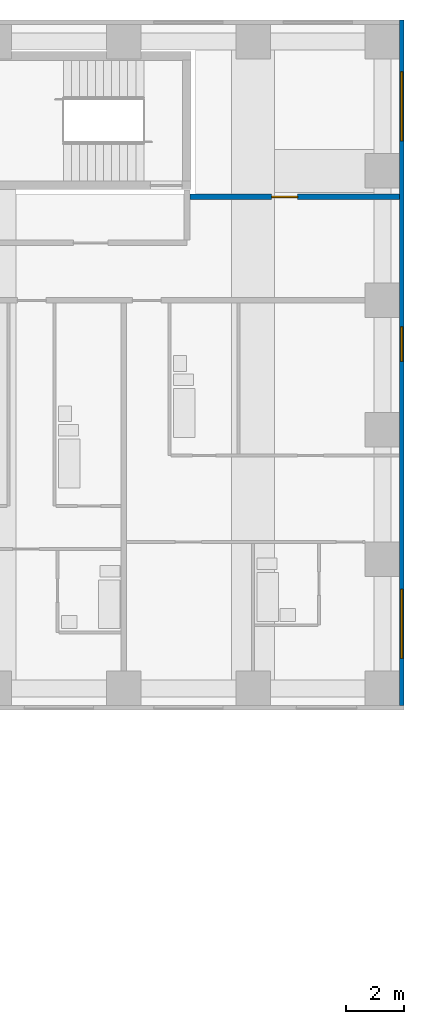
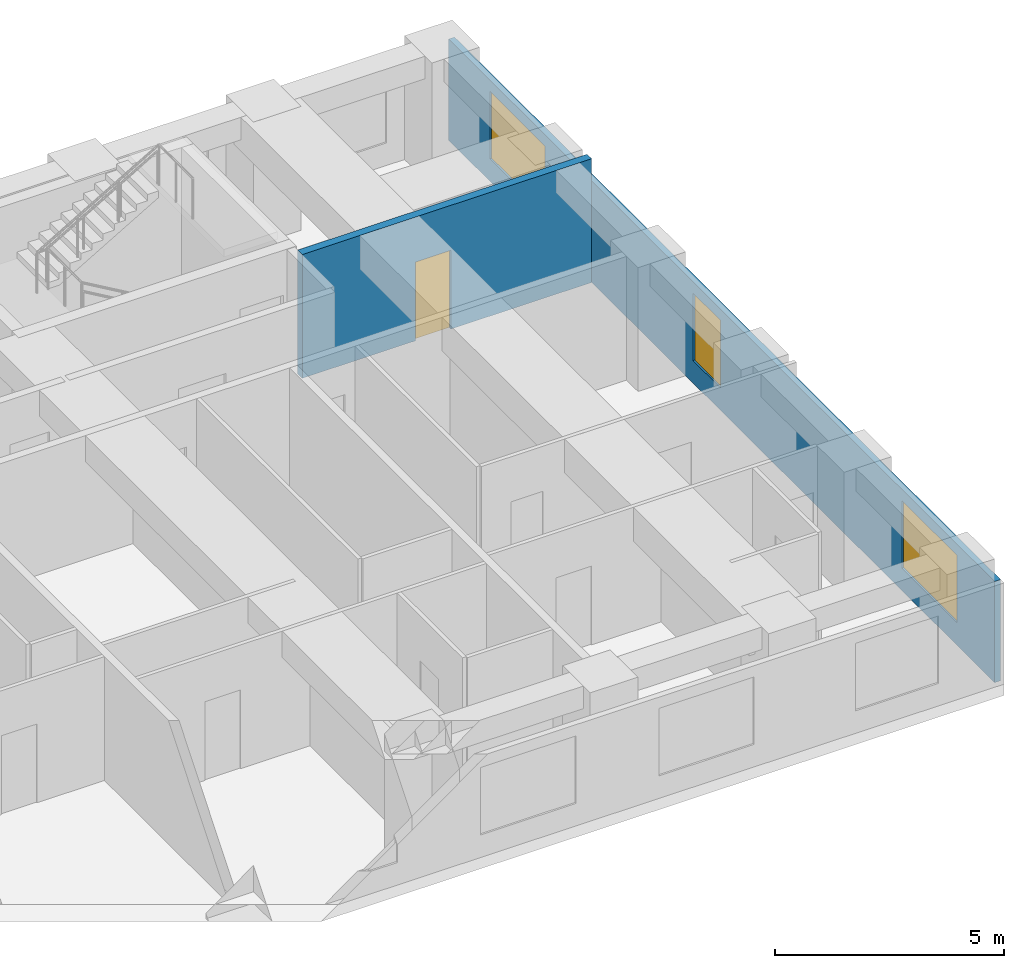
# One storey, part 9 of 12: 3 windows, 2 walls, 1 door, 4 openings.
"""IFC4 building model written with IfcOpenShell, lengths in metres."""

from ifc_helpers import new_model, si_unit, direction, frame, frame_2d, origin, place, context, subcontext, project, spatial, rectangle, extrude, material, layer, layer_set, type_object, element, fill, save


model = new_model("IFC4")

# Units and contexts
model_context = context("Model", 3, precision=1e-05, world=origin(), true_north=direction((0.0, 1.0)))
body_context = subcontext(model_context, "Body", "Model", "MODEL_VIEW")
ifc_project = project(units=[si_unit("LENGTHUNIT", "METRE"), si_unit("AREAUNIT", "SQUARE_METRE"), si_unit("VOLUMEUNIT", "CUBIC_METRE"), si_unit("PLANEANGLEUNIT", "RADIAN"), si_unit("MASSUNIT", "GRAM", prefix="KILO")], contexts=[model_context])

# Site, building, storey
site_placement = place(None, origin())
site = spatial("IfcSite", under=ifc_project, at=site_placement, CompositionType="ELEMENT")
building_placement = place(site_placement, origin())
building = spatial("IfcBuilding", under=site, at=building_placement, Name="Firuza Court", CompositionType="ELEMENT")
storey_placement = place(building_placement, frame((0.0, 0.0, 65.0)))
storey = spatial("IfcBuildingStorey", under=building, at=storey_placement, Name="L15", CompositionType="ELEMENT", Elevation=65.0)

# Wall, opening, door
ifc_material_1 = material(Name="Blockwork, plastered both sides", Category="masonry")
ifc_layer_1 = layer(ifc_material_1, 0.199951171875)
ifc_layer_set_1 = layer_set([ifc_layer_1], Name="Blockwork, plastered both sides")
wall_type_1 = type_object("IfcWallType", Name="Corridor wall 200", PredefinedType="PARTITIONING", material=ifc_layer_set_1)
wall_1_placement = place(storey_placement, frame((60.800048828125, 53.10009765625, 0.0), z_axis=(0.0, 0.0, 1.0), x_axis=(1.0, 0.0, 0.0)))
wall_1 = element("IfcWall", 1, at=wall_1_placement, inside=storey, type_object=wall_type_1, Name="Corridor wall 200 L15", PredefinedType="PARTITIONING", context=body_context, shape_type="SweptSolid", body=[
    extrude(rectangle(XDim=7.300048828125, YDim=0.199951171875, at=frame_2d((3.64990234375, 0.0))), origin(), (0.0, 0.0, 1.0), 3.300048828125),
])
opening_1_placement = place(wall_1_placement, frame((2.85009765625, 0.0, 0.0)))
opening_1 = element("IfcOpeningElement", 2, at=opening_1_placement, cuts=wall_1, Name="Opening D15079", PredefinedType="OPENING", context=body_context, shape_type="SweptSolid", body=[
    extrude(rectangle(XDim=0.89990234375, YDim=2.10009765625, at=frame_2d((0.449951171875, 1.050048828125))), frame((0.0, 0.11181640625, 0.0), z_axis=(0.0, -1.0, 0.0), x_axis=(1.0, 0.0, 0.0)), (0.0, 0.0, 1.0), 0.223876953125),
])
ifc_material_2 = material(Name="Timber door leaf in hardwood frame", Category="wood")
door_type = type_object("IfcDoorType", Name="Room door 900 EI 30", OperationType="SINGLE_SWING_LEFT", PredefinedType="DOOR", material=ifc_material_2)
door_placement = place(opening_1_placement, origin())
door = element("IfcDoor", 3, at=door_placement, inside=storey, type_object=door_type, Name="Meeting room door", OperationType="SINGLE_SWING_LEFT", OverallHeight=2.10009765625, OverallWidth=0.89990234375, PredefinedType="DOOR", context=body_context, shape_type="SweptSolid", body=[
    extrude(rectangle(XDim=0.89990234375, YDim=2.10009765625, at=frame_2d((0.449951171875, 1.050048828125))), frame((0.0, 0.02490234375, 0.0), z_axis=(0.0, -1.0, 0.0), x_axis=(1.0, 0.0, 0.0)), (0.0, 0.0, 1.0), 0.050048828125),
])
fill(opening_1, door)

# Wall, openings, windows
ifc_material_3 = material(Name="Ceramic tile", Category="ceramic")
ifc_layer_2 = layer(ifc_material_3, 0.02001953125)
ifc_material_4 = material(Name="Mineral wool insulation", Category="insulation")
ifc_layer_3 = layer(ifc_material_4, 0.050048828125)
ifc_material_5 = material(Name="Concrete C40/50 precast", Category="concrete")
ifc_layer_4 = layer(ifc_material_5, 0.080078125)
ifc_layer_set_2 = layer_set([ifc_layer_2, ifc_layer_3, ifc_layer_4], Name="Concrete C40/50 precast")
wall_type_2 = type_object("IfcWallType", Name="Precast cladding wall with turquoise TILE PANEL face 150", PredefinedType="STANDARD", material=ifc_layer_set_2)
wall_2_placement = place(storey_placement, frame((68.175048828125, 35.39990234375, 0.0), z_axis=(0.0, 0.0, 1.0), x_axis=(0.0, 1.0, 0.0)))
wall_2 = element("IfcWall", 4, at=wall_2_placement, inside=storey, type_object=wall_type_2, Name="Facade wall L15 E", PredefinedType="STANDARD", context=body_context, shape_type="SweptSolid", body=[
    extrude(rectangle(XDim=23.85009765625, YDim=0.14990234375, at=frame_2d((11.925048828125, 0.0))), origin(), (0.0, 0.0, 1.0), 2.699951171875),
])
opening_2_placement = place(wall_2_placement, frame((1.64990234375, 0.0, 0.60009765625)))
opening_2 = element("IfcOpeningElement", 5, at=opening_2_placement, cuts=wall_2, Name="Opening W1", PredefinedType="OPENING", context=body_context, shape_type="SweptSolid", body=[
    extrude(rectangle(XDim=2.39990234375, YDim=1.800048828125, at=frame_2d((1.199951171875, 0.89990234375))), frame((0.0, 0.0869140625, 0.0), z_axis=(0.0, -1.0, 0.0), x_axis=(1.0, 0.0, 0.0)), (0.0, 0.0, 1.0), 0.173828125),
])
opening_3_placement = place(wall_2_placement, frame((11.976806640625, 0.0, 0.60009765625)))
opening_3 = element("IfcOpeningElement", 6, at=opening_3_placement, cuts=wall_2, Name="Opening W8", PredefinedType="OPENING", context=body_context, shape_type="SweptSolid", body=[
    extrude(rectangle(XDim=1.199951171875, YDim=1.800048828125, at=frame_2d((0.60009765625, 0.89990234375))), frame((0.0, 0.0869140625, 0.0), z_axis=(0.0, -1.0, 0.0), x_axis=(1.0, 0.0, 0.0)), (0.0, 0.0, 1.0), 0.173828125),
])
opening_4_placement = place(wall_2_placement, frame((19.64990234375, 0.0, 0.60009765625)))
opening_4 = element("IfcOpeningElement", 7, at=opening_4_placement, cuts=wall_2, Name="Opening W1", PredefinedType="OPENING", context=body_context, shape_type="SweptSolid", body=[
    extrude(rectangle(XDim=2.39990234375, YDim=1.800048828125, at=frame_2d((1.199951171875, 0.89990234375))), frame((0.0, 0.0869140625, 0.0), z_axis=(0.0, -1.0, 0.0), x_axis=(1.0, 0.0, 0.0)), (0.0, 0.0, 1.0), 0.173828125),
])
ifc_material_6 = material(Name="Aluminium frame, triple clear glazing", Category="aluminium")
window_type_1 = type_object("IfcWindowType", Name="Window W1 2400 x 1800", PartitioningType="SINGLE_PANEL", PredefinedType="WINDOW", material=ifc_material_6)
window_1_placement = place(opening_2_placement, origin())
window_1 = element("IfcWindow", 8, at=window_1_placement, inside=storey, type_object=window_type_1, Name="Window L15", OverallHeight=1.800048828125, OverallWidth=2.39990234375, PartitioningType="SINGLE_PANEL", PredefinedType="WINDOW", context=body_context, shape_type="SweptSolid", body=[
    extrude(rectangle(XDim=2.39990234375, YDim=1.800048828125, at=frame_2d((1.199951171875, 0.89990234375))), frame((0.0, 0.030029296875, 0.0), z_axis=(0.0, -1.0, 0.0), x_axis=(1.0, 0.0, 0.0)), (0.0, 0.0, 1.0), 0.06005859375),
])
fill(opening_2, window_1)
window_2_placement = place(opening_4_placement, origin())
window_2 = element("IfcWindow", 9, at=window_2_placement, inside=storey, type_object=window_type_1, Name="Window L15", OverallHeight=1.800048828125, OverallWidth=2.39990234375, PartitioningType="SINGLE_PANEL", PredefinedType="WINDOW", context=body_context, shape_type="SweptSolid", body=[
    extrude(rectangle(XDim=2.39990234375, YDim=1.800048828125, at=frame_2d((1.199951171875, 0.89990234375))), frame((0.0, 0.030029296875, 0.0), z_axis=(0.0, -1.0, 0.0), x_axis=(1.0, 0.0, 0.0)), (0.0, 0.0, 1.0), 0.06005859375),
])
fill(opening_4, window_2)
ifc_material_7 = material(Name="Aluminium frame, triple clear glazing", Category="aluminium")
window_type_2 = type_object("IfcWindowType", Name="Window W8 1200 x 1800", PartitioningType="SINGLE_PANEL", PredefinedType="WINDOW", material=ifc_material_7)
window_3_placement = place(opening_3_placement, origin())
window_3 = element("IfcWindow", 10, at=window_3_placement, inside=storey, type_object=window_type_2, Name="Window L15", OverallHeight=1.800048828125, OverallWidth=1.199951171875, PartitioningType="SINGLE_PANEL", PredefinedType="WINDOW", context=body_context, shape_type="SweptSolid", body=[
    extrude(rectangle(XDim=1.199951171875, YDim=1.800048828125, at=frame_2d((0.60009765625, 0.89990234375))), frame((0.0, 0.030029296875, 0.0), z_axis=(0.0, -1.0, 0.0), x_axis=(1.0, 0.0, 0.0)), (0.0, 0.0, 1.0), 0.06005859375),
])
fill(opening_3, window_3)

save(model, "model.ifc")
